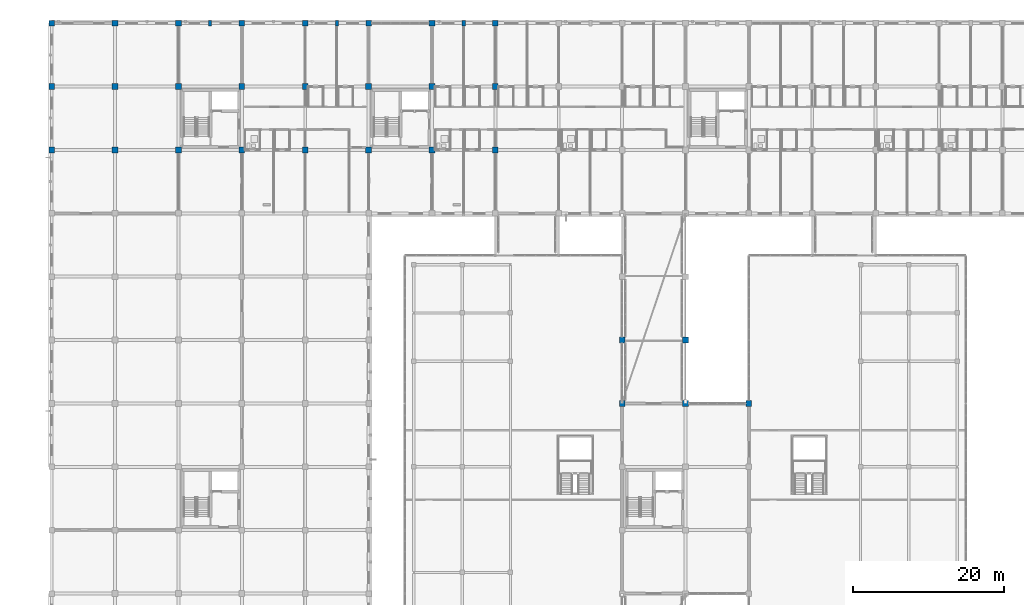
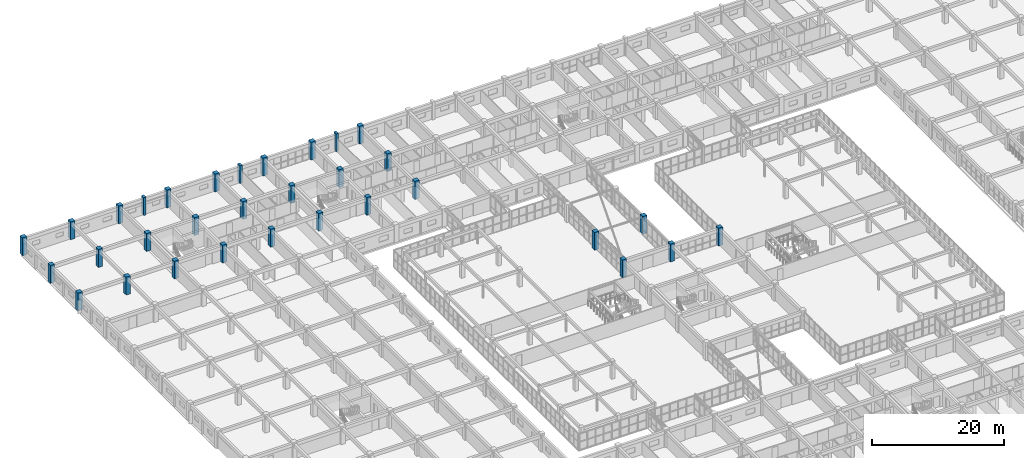
# One storey, part 18 of 200: 32 columns.
"""IFC4 building model written with IfcOpenShell, lengths in metres."""

from ifc_helpers import new_model, si_unit, direction, frame, origin, origin_2d, place, context, subcontext, project, spatial, rectangle, extrude, material, material_profile, profile_set, type_object, element, save


model = new_model("IFC4")

# Units and contexts
model_context = context("Model", 3, precision=1e-05, world=origin(), true_north=direction((0.0, 1.0)))
body_context = subcontext(model_context, "Body", "Model", "MODEL_VIEW")
ifc_project = project(units=[si_unit("LENGTHUNIT", "METRE"), si_unit("AREAUNIT", "SQUARE_METRE"), si_unit("VOLUMEUNIT", "CUBIC_METRE"), si_unit("PLANEANGLEUNIT", "RADIAN"), si_unit("MASSUNIT", "GRAM", prefix="KILO")], contexts=[model_context])

# Site, building, storey
site_placement = place(None, origin())
site = spatial("IfcSite", under=ifc_project, at=site_placement, CompositionType="ELEMENT")
building_placement = place(site_placement, origin())
building = spatial("IfcBuilding", under=site, at=building_placement, Name="Trelvath General Hospital", CompositionType="ELEMENT")
storey_placement = place(building_placement, frame((0.0, 0.0, 4.800048828125)))
storey = spatial("IfcBuildingStorey", under=building, at=storey_placement, Name="L01", CompositionType="ELEMENT", Elevation=4.800048828125)

# Columns
ifc_material_1 = material(Name="Concrete C40/50", Category="concrete")
ifc_material_profile_1 = material_profile(ifc_material_1, rectangle(XDim=0.75, YDim=0.75, at=origin_2d()), Name="RC750x750")
ifc_profile_set_1 = profile_set([ifc_material_profile_1], Name="Concrete C40/50")
column_type_1 = type_object("IfcColumnType", Name="Column RC750", PredefinedType="COLUMN", material=ifc_profile_set_1)
for number, where, z_axis, x_axis, name in (
    (1, (0.0, 100.800048828125, 0.0), (0.0, 0.0, 1.0), (1.0, 0.0, 0.0), "Column C-1M L01"),
    (2, (0.0, 109.199951171875, 0.0), (0.0, 0.0, 1.0), (1.0, 0.0, 0.0), "Column C-1N L01"),
    (3, (0.0, 117.60009765625, 0.0), (0.0, 0.0, 1.0), (1.0, 0.0, 0.0), "Column C-1O L01"),
    (4, (8.39990234375, 117.60009765625, 0.0), (0.0, 0.0, 1.0), (1.0, 0.0, 0.0), "Column C-2O L01"),
    (5, (16.800048828125, 117.60009765625, 0.0), (0.0, 0.0, 1.0), (1.0, 0.0, 0.0), "Column C-3O L01"),
    (6, (25.199951171875, 117.60009765625, 0.0), (0.0, 0.0, 1.0), (1.0, 0.0, 0.0), "Column C-4O L01"),
    (7, (33.60009765625, 117.60009765625, 0.0), (0.0, 0.0, 1.0), (1.0, 0.0, 0.0), "Column C-5O L01"),
    (8, (42.0, 117.60009765625, 0.0), (0.0, 0.0, 1.0), (1.0, 0.0, 0.0), "Column C-6O L01"),
    (9, (50.39990234375, 117.60009765625, 0.0), (0.0, 0.0, 1.0), (1.0, 0.0, 0.0), "Column C-7O L01"),
    (10, (58.800048828125, 117.60009765625, 0.0), (0.0, 0.0, 1.0), (1.0, 0.0, 0.0), "Column C-8O L01"),
    (11, (75.60009765625, 67.199951171875, 0.0), (0.0, 0.0, 1.0), (1.0, 0.0, 0.0), "Column C-10I L01"),
    (12, (75.60009765625, 75.60009765625, 0.0), (0.0, 0.0, 1.0), (1.0, 0.0, 0.0), "Column C-10J L01"),
    (13, (84.0, 67.199951171875, 0.0), (0.0, 0.0, 1.0), (1.0, 0.0, 0.0), "Column C-11I L01"),
    (14, (84.0, 75.60009765625, 0.0), (0.0, 0.0, 1.0), (1.0, 0.0, 0.0), "Column C-11J L01"),
    (15, (92.39990234375, 67.199951171875, 0.0), (0.0, 0.0, 1.0), (1.0, 0.0, 0.0), "Column C-12I L01"),
):
    element("IfcColumn", number, at=place(storey_placement, frame(where, z_axis=z_axis, x_axis=x_axis)), inside=storey, type_object=column_type_1, Name=name, PredefinedType="COLUMN", context=body_context, shape_type="SweptSolid", body=[
        extrude(rectangle(XDim=0.75, YDim=0.75, at=origin_2d()), origin(), (0.0, 0.0, 1.0), 3.300048828125),
    ])
ifc_material_2 = material(Name="Concrete C40/50", Category="concrete")
ifc_material_profile_2 = material_profile(ifc_material_2, rectangle(XDim=0.760009765625, YDim=0.760009765625, at=origin_2d()), Name="RC760x760")
ifc_profile_set_2 = profile_set([ifc_material_profile_2], Name="Concrete C40/50")
column_type_2 = type_object("IfcColumnType", Name="Column RC760", PredefinedType="COLUMN", material=ifc_profile_set_2)
for number, where, z_axis, x_axis, name in (
    (16, (8.39990234375, 100.800048828125, 0.0), (0.0, 0.0, 1.0), (1.0, 0.0, 0.0), "Column C-2M L01"),
    (17, (8.39990234375, 109.199951171875, 0.0), (0.0, 0.0, 1.0), (1.0, 0.0, 0.0), "Column C-2N L01"),
    (18, (16.800048828125, 100.800048828125, 0.0), (0.0, 0.0, 1.0), (1.0, 0.0, 0.0), "Column C-3M L01"),
    (19, (16.800048828125, 109.199951171875, 0.0), (0.0, 0.0, 1.0), (1.0, 0.0, 0.0), "Column C-3N L01"),
    (20, (25.199951171875, 100.800048828125, 0.0), (0.0, 0.0, 1.0), (1.0, 0.0, 0.0), "Column C-4M L01"),
    (21, (25.199951171875, 109.199951171875, 0.0), (0.0, 0.0, 1.0), (1.0, 0.0, 0.0), "Column C-4N L01"),
    (22, (33.60009765625, 100.800048828125, 0.0), (0.0, 0.0, 1.0), (1.0, 0.0, 0.0), "Column C-5M L01"),
    (23, (33.60009765625, 109.199951171875, 0.0), (0.0, 0.0, 1.0), (1.0, 0.0, 0.0), "Column C-5N L01"),
    (24, (42.0, 100.800048828125, 0.0), (0.0, 0.0, 1.0), (1.0, 0.0, 0.0), "Column C-6M L01"),
    (25, (42.0, 109.199951171875, 0.0), (0.0, 0.0, 1.0), (1.0, 0.0, 0.0), "Column C-6N L01"),
    (26, (50.39990234375, 100.800048828125, 0.0), (0.0, 0.0, 1.0), (1.0, 0.0, 0.0), "Column C-7M L01"),
    (27, (50.39990234375, 109.199951171875, 0.0), (0.0, 0.0, 1.0), (1.0, 0.0, 0.0), "Column C-7N L01"),
    (28, (58.800048828125, 100.800048828125, 0.0), (0.0, 0.0, 1.0), (1.0, 0.0, 0.0), "Column C-8M L01"),
    (29, (58.800048828125, 109.199951171875, 0.0), (0.0, 0.0, 1.0), (1.0, 0.0, 0.0), "Column C-8N L01"),
):
    element("IfcColumn", number, at=place(storey_placement, frame(where, z_axis=z_axis, x_axis=x_axis)), inside=storey, type_object=column_type_2, Name=name, PredefinedType="COLUMN", context=body_context, shape_type="SweptSolid", body=[
        extrude(rectangle(XDim=0.760009765625, YDim=0.760009765625, at=origin_2d()), origin(), (0.0, 0.0, 1.0), 3.300048828125),
    ])
ifc_material_3 = material(Name="Concrete C40/50", Category="concrete")
ifc_material_profile_3 = material_profile(ifc_material_3, rectangle(XDim=0.419921875, YDim=0.719970703125, at=origin_2d()), Name="RC420x720")
ifc_profile_set_3 = profile_set([ifc_material_profile_3], Name="Concrete C40/50")
column_type_3 = type_object("IfcColumnType", Name="Pilaster RC420x720", PredefinedType="PILASTER", material=ifc_profile_set_3)
for number, where, z_axis, x_axis, name in (
    (30, (21.0, 117.60009765625, 0.0), (0.0, 0.0, 1.0), (1.0, 0.0, 0.0), "Facade Pilaster PL-N02 L01"),
    (31, (37.800048828125, 117.60009765625, 0.0), (0.0, 0.0, 1.0), (1.0, 0.0, 0.0), "Facade Pilaster PL-N04 L01"),
    (32, (54.60009765625, 117.60009765625, 0.0), (0.0, 0.0, 1.0), (1.0, 0.0, 0.0), "Facade Pilaster PL-N06 L01"),
):
    element("IfcColumn", number, at=place(storey_placement, frame(where, z_axis=z_axis, x_axis=x_axis)), inside=storey, type_object=column_type_3, Name=name, PredefinedType="PILASTER", context=body_context, shape_type="SweptSolid", body=[
        extrude(rectangle(XDim=0.419921875, YDim=0.719970703125, at=origin_2d()), origin(), (0.0, 0.0, 1.0), 3.300048828125),
    ])

save(model, "model.ifc")
